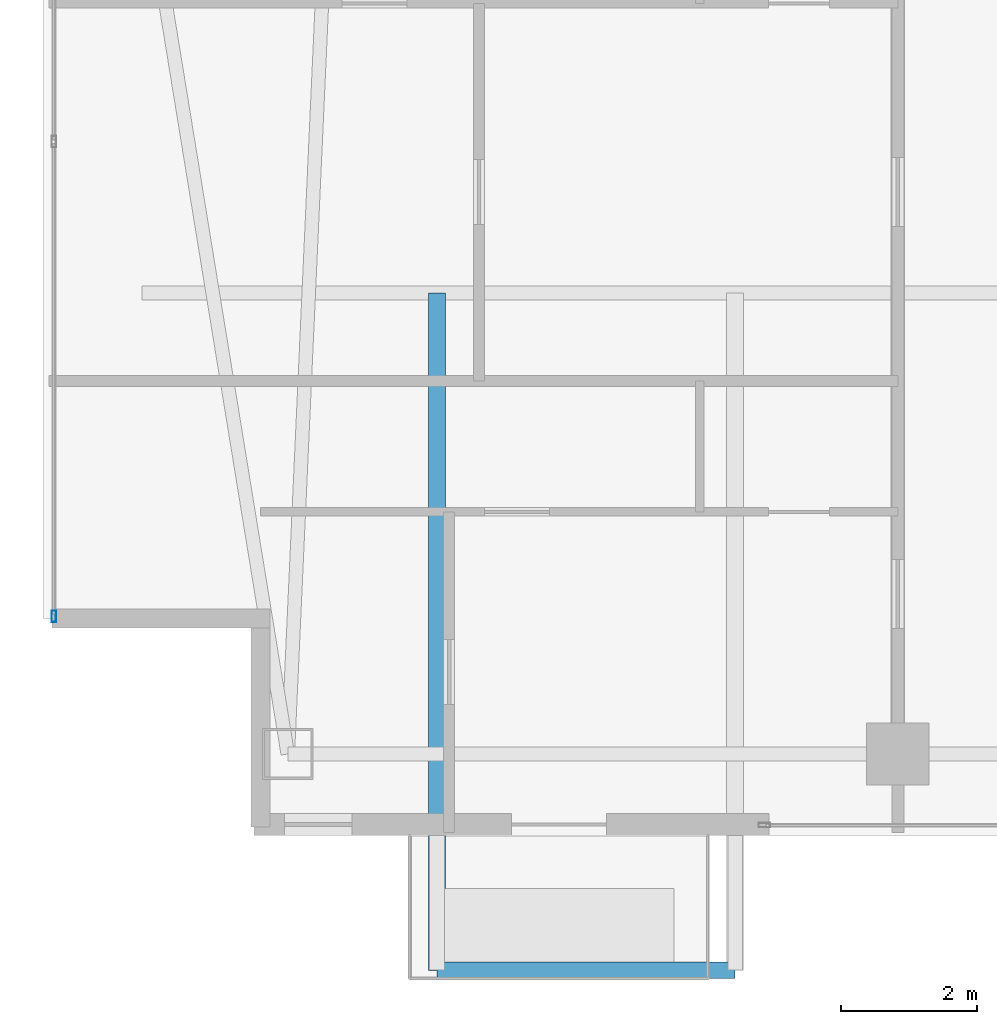
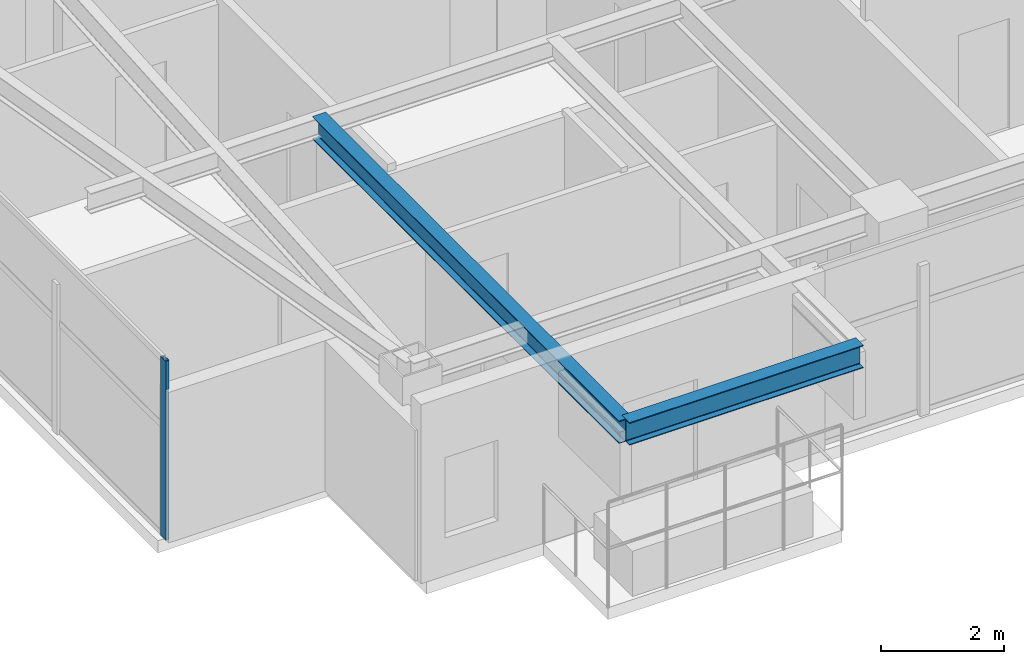
# One storey, part 2 of 28: 2 beams, 1 member, 1 element without a shape of its own.
"""IFC4 building model written with IfcOpenShell, lengths in metres."""

from ifc_helpers import new_model, si_unit, direction, frame, origin, origin_2d, place, context, subcontext, project, spatial, hollow_rectangle, i_section, extrude, material, layer, layer_set, material_profile, profile_set, type_object, element, aggregate, save


model = new_model("IFC4")

# Units and contexts
model_context = context("Model", 3, precision=1e-05, world=origin(), true_north=direction((0.0, 1.0)))
body_context = subcontext(model_context, "Body", "Model", "MODEL_VIEW")
ifc_project = project(units=[si_unit("LENGTHUNIT", "METRE"), si_unit("AREAUNIT", "SQUARE_METRE"), si_unit("VOLUMEUNIT", "CUBIC_METRE"), si_unit("PLANEANGLEUNIT", "RADIAN"), si_unit("MASSUNIT", "GRAM", prefix="KILO")], contexts=[model_context])

# Site, building, storey
site_placement = place(None, origin())
site = spatial("IfcSite", under=ifc_project, at=site_placement, CompositionType="ELEMENT")
building_placement = place(site_placement, origin())
building = spatial("IfcBuilding", under=site, at=building_placement, Name="Calvorn Quay Hotel", CompositionType="ELEMENT")
storey_placement = place(building_placement, frame((0.0, 0.0, 267.300048828125)))
storey = spatial("IfcBuildingStorey", under=building, at=storey_placement, Name="L66", CompositionType="ELEMENT", Elevation=267.300048828125)

# Beams
ifc_material_1 = material(Name="Steel Q355B", Category="steel")
ifc_material_profile_1 = material_profile(ifc_material_1, i_section(OverallWidth=0.25, OverallDepth=0.449951171875, WebThickness=0.011962890625, FlangeThickness=0.01611328125, FilletRadius=0.01611328125, at=origin_2d()), Name="HN450x250x12x16")
ifc_profile_set_1 = profile_set([ifc_material_profile_1], Name="Steel Q355B")
beam_type = type_object("IfcBeamType", Name="BM-CANT-BALC", PredefinedType="BEAM", material=ifc_profile_set_1)
beam_1_placement = place(storey_placement, frame((5.800048828125, 10.39990234375, 3.31494140625), z_axis=(0.0, -1.0, 0.0), x_axis=(1.0, 0.0, 0.0)))
element("IfcBeam", 1, at=beam_1_placement, inside=storey, type_object=beam_type, Name="Cantilever Balcony Beam BCB-L67-2A", PredefinedType="BEAM", context=body_context, shape_type="SweptSolid", body=[
    extrude(i_section(OverallWidth=0.25, OverallDepth=0.449951171875, WebThickness=0.011962890625, FlangeThickness=0.01611328125, FilletRadius=0.01611328125, at=origin_2d()), origin(), (0.0, 0.0, 1.0), 9.989990234375),
])
beam_2_placement = place(storey_placement, frame((5.800048828125, 0.409912109375, 3.31494140625), z_axis=(1.0, 0.0, 0.0), x_axis=(0.0, 1.0, 0.0)))
element("IfcBeam", 2, at=beam_2_placement, inside=storey, type_object=beam_type, Name="Beam BCBO-L67-2", PredefinedType="BEAM", context=body_context, shape_type="SweptSolid", body=[
    extrude(i_section(OverallWidth=0.25, OverallDepth=0.449951171875, WebThickness=0.011962890625, FlangeThickness=0.01611328125, FilletRadius=0.01611328125, at=origin_2d()), origin(), (0.0, 0.0, 1.0), 4.39990234375),
])

# Curtain wall, member
ifc_material_2 = material(Name="Champagne Bronze Anodised Aluminium and Low-E Glass", Category="aluminium")
ifc_layer = layer(ifc_material_2, 0.219970703125)
ifc_layer_set = layer_set([ifc_layer], Name="CW-SYS-Z4")
curtain_wall_type = type_object("IfcCurtainWallType", Name="CW-SYS-Z4", PredefinedType="NOTDEFINED", material=ifc_layer_set)
curtain_wall_placement = place(storey_placement, origin())
curtain_wall = element("IfcCurtainWall", 3, at=curtain_wall_placement, inside=storey, type_object=curtain_wall_type, Name="Tower West Curtain Wall (L66)", PredefinedType="NOTDEFINED")
ifc_material_3 = material(Name="Champagne Bronze Anodised Aluminium 6063-T6", Category="aluminium")
ifc_material_profile_2 = material_profile(ifc_material_3, hollow_rectangle(XDim=0.06494140625, YDim=0.169921875, WallThickness=0.00341796875, at=origin_2d()), Name="ALU-M170x65x3.5")
ifc_profile_set_2 = profile_set([ifc_material_profile_2], Name="Champagne Bronze Anodised Aluminium 6063-T6")
member_type = type_object("IfcMemberType", Name="CW-SYS-Z4-MUL", PredefinedType="MULLION", material=ifc_profile_set_2)
member_placement = place(storey_placement, frame((0.14990234375, 5.6298828125, 0.0), z_axis=(0.0, 0.0, 1.0), x_axis=(-1.0, 0.0, 0.0)))
member = element("IfcMember", 4, at=member_placement, type_object=member_type, Name="CW-L66-W mullion 1", PredefinedType="MULLION", context=body_context, shape_type="SweptSolid", body=[
    extrude(hollow_rectangle(XDim=0.06494140625, YDim=0.169921875, WallThickness=0.00341796875, at=origin_2d()), origin(), (0.0, 0.0, 1.0), 3.56005859375),
])
aggregate(curtain_wall, [member])

save(model, "model.ifc")
